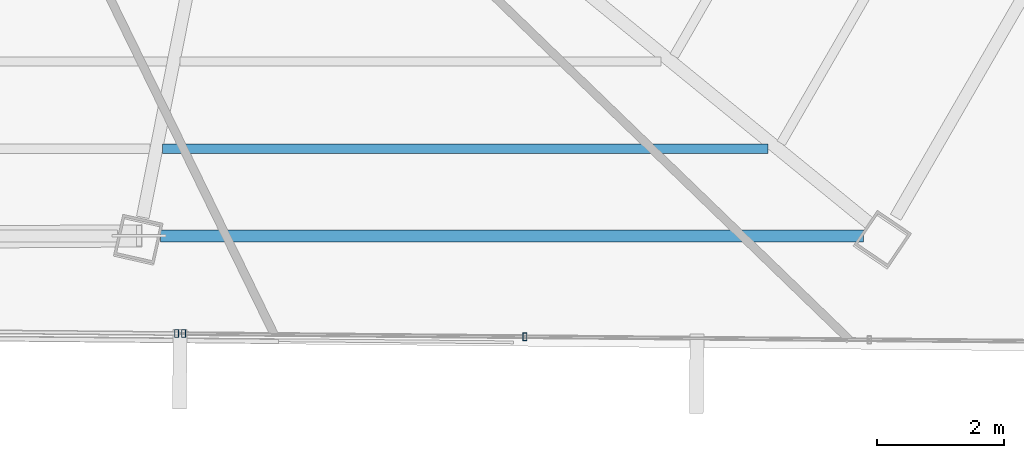
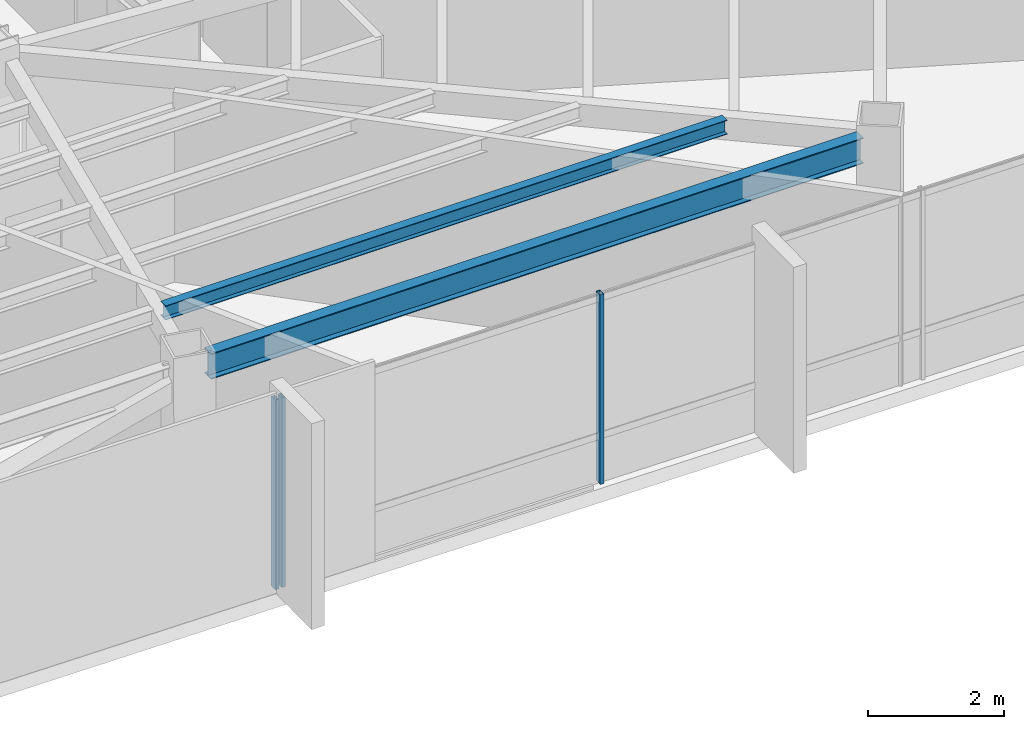
# One storey, part 19 of 42: 3 members, 2 beams, 2 elements without a shape of their own.
"""IFC4 building model written with IfcOpenShell, lengths in metres."""

from ifc_helpers import new_model, si_unit, direction, frame, origin, origin_2d, place, context, subcontext, project, spatial, hollow_rectangle, i_section, extrude, source, transform, mapped, material, material_profile, profile_set, type_object, type_shapes, element, aggregate, save


model = new_model("IFC4")

# Units and contexts
model_context = context("Model", 3, precision=1e-05, world=origin(), true_north=direction((0.0, 1.0)))
body_context = subcontext(model_context, "Body", "Model", "MODEL_VIEW")
ifc_project = project(units=[si_unit("LENGTHUNIT", "METRE"), si_unit("AREAUNIT", "SQUARE_METRE"), si_unit("VOLUMEUNIT", "CUBIC_METRE"), si_unit("PLANEANGLEUNIT", "RADIAN"), si_unit("MASSUNIT", "GRAM", prefix="KILO")], contexts=[model_context])

# Site, building, storey
site_placement = place(None, origin())
site = spatial("IfcSite", under=ifc_project, at=site_placement, CompositionType="ELEMENT")
building_placement = place(site_placement, origin())
building = spatial("IfcBuilding", under=site, at=building_placement, Name="Caelisora Broadcast Tower", CompositionType="ELEMENT")
storey_placement = place(building_placement, frame((0.0, 0.0, 244.449951171875)))
storey = spatial("IfcBuildingStorey", under=building, at=storey_placement, Name="L64", CompositionType="ELEMENT", Elevation=244.449951171875)

# Beams
ifc_material_1 = material(Name="Steel Grade 350 (AS/NZS 3679.1)", Category="steel")
ifc_material_profile_1 = material_profile(ifc_material_1, i_section(OverallWidth=0.19091796875, OverallDepth=0.46044921875, WebThickness=0.010009765625, FlangeThickness=0.01611328125, at=origin_2d()), Name="Steel Grade 350 (AS/NZS 3679.1)")
ifc_profile_set_1 = profile_set([ifc_material_profile_1], Name="Steel Grade 350 (AS/NZS 3679.1)")
beam_type_1 = type_object("IfcBeamType", Name="PG06", PredefinedType="BEAM", material=ifc_profile_set_1)
shared_shape_1 = source(origin(), body_context, "Body", "SweptSolid", [
    extrude(i_section(OverallWidth=0.19091796875, OverallDepth=0.46044921875, WebThickness=0.010009765625, FlangeThickness=0.01611328125, at=origin_2d()), origin(), (0.0, 0.0, 1.0), 11.058837890625),
])
type_shapes(beam_type_1, [shared_shape_1])
beam_1_placement = place(storey_placement, frame((44.205322265625, 9.16748046875, 3.169921875), z_axis=(1.0, 0.0, 0.0), x_axis=(0.0, 1.0, 0.0)))
element("IfcBeam", 1, at=beam_1_placement, inside=storey, type_object=beam_type_1, Name="L64 beam PG06", PredefinedType="BEAM", context=body_context, shape_type="MappedRepresentation", body=[
    mapped(shared_shape_1, transform((0.0, 0.0, 0.0), scale=1.0)),
])
ifc_material_profile_2 = material_profile(ifc_material_1, i_section(OverallWidth=0.14599609375, OverallDepth=0.256103515625, WebThickness=0.00634765625, FlangeThickness=0.010986328125, at=origin_2d()), Name="Steel Grade 350 (AS/NZS 3679.1)")
ifc_profile_set_2 = profile_set([ifc_material_profile_2], Name="Steel Grade 350 (AS/NZS 3679.1)")
beam_type_2 = type_object("IfcBeamType", Name="SB04", PredefinedType="JOIST", material=ifc_profile_set_2)
shared_shape_2 = source(origin(), body_context, "Body", "SweptSolid", [
    extrude(i_section(OverallWidth=0.14599609375, OverallDepth=0.256103515625, WebThickness=0.00634765625, FlangeThickness=0.010986328125, at=origin_2d()), origin(), (0.0, 0.0, 1.0), 9.52490234375),
])
type_shapes(beam_type_2, [shared_shape_2])
beam_2_placement = place(storey_placement, frame((44.23828125, 10.53955078125, 3.27197265625), z_axis=(1.0, 0.0, 0.0), x_axis=(0.0, 1.0, 0.0)))
element("IfcBeam", 2, at=beam_2_placement, inside=storey, type_object=beam_type_2, Name="L64 beam SB04", PredefinedType="JOIST", context=body_context, shape_type="MappedRepresentation", body=[
    mapped(shared_shape_2, transform((0.0, 0.0, 0.0), scale=1.0)),
])

# Curtain wall, members
ifc_material_2 = material(Name="Unitised Aluminium and Low-E Glass Curtain Wall", Category="glass")
curtain_wall_type_1 = type_object("IfcCurtainWallType", Name="CW-Z5", PredefinedType="NOTDEFINED", material=ifc_material_2)
curtain_wall_1_placement = place(storey_placement, origin())
curtain_wall_1 = element("IfcCurtainWall", 3, at=curtain_wall_1_placement, inside=storey, type_object=curtain_wall_type_1, Name="L64 curtain wall CW-Z5", PredefinedType="NOTDEFINED")
ifc_material_3 = material(Name="Aluminium 6063-T6 Anodised Terracotta Bronze", Category="aluminium")
ifc_material_profile_3 = material_profile(ifc_material_3, hollow_rectangle(XDim=0.06005859375, YDim=0.1201171875, WallThickness=0.0029296875, at=origin_2d()), Name="Aluminium 6063-T6 Anodised Terracotta Bronze")
ifc_profile_set_3 = profile_set([ifc_material_profile_3], Name="Aluminium 6063-T6 Anodised Terracotta Bronze")
member_type = type_object("IfcMemberType", Name="CWM-04", PredefinedType="MULLION", material=ifc_profile_set_3)
shared_shape_3 = source(origin(), body_context, "Body", "SweptSolid", [
    extrude(hollow_rectangle(XDim=0.06005859375, YDim=0.1201171875, WallThickness=0.0029296875, at=origin_2d()), origin(), (0.0, 0.0, 1.0), 3.400146484375),
])
type_shapes(member_type, [shared_shape_3])
member_1_placement = place(storey_placement, frame((49.937255859375, 7.58154296875, 0.0), z_axis=(0.0, 0.0, 1.0), x_axis=(1.0, 0.0, 0.0)))
member_1 = element("IfcMember", 4, at=member_1_placement, type_object=member_type, Name="L64-CW-B05 mullion #2", PredefinedType="MULLION", context=body_context, shape_type="MappedRepresentation", body=[
    mapped(shared_shape_3, transform((0.0, 0.0, 0.0), scale=1.0)),
])
member_2_placement = place(storey_placement, frame((44.56787109375, 7.6298828125, 0.0), z_axis=(0.0, 0.0, 1.0), x_axis=(1.0, 0.0, 0.0)))
member_2 = element("IfcMember", 5, at=member_2_placement, type_object=member_type, Name="L64-CW-B05 mullion #3", PredefinedType="MULLION", context=body_context, shape_type="MappedRepresentation", body=[
    mapped(shared_shape_3, transform((0.0, 0.0, 0.0), scale=1.0)),
])
aggregate(curtain_wall_1, [member_1, member_2])

# Curtain wall, member
ifc_material_4 = material(Name="Unitised Aluminium Insulated Shadow-Box Spandrel Curtain Wall", Category="aluminium")
curtain_wall_type_2 = type_object("IfcCurtainWallType", Name="CW-SP3", PredefinedType="NOTDEFINED", material=ifc_material_4)
curtain_wall_2_placement = place(storey_placement, origin())
curtain_wall_2 = element("IfcCurtainWall", 6, at=curtain_wall_2_placement, inside=storey, type_object=curtain_wall_type_2, Name="L64 curtain wall CW-SP3", PredefinedType="NOTDEFINED")
member_3_placement = place(storey_placement, frame((44.457763671875, 7.630859375, 0.0), z_axis=(0.0, 0.0, 1.0), x_axis=(1.0, 0.0, 0.0)))
member_3 = element("IfcMember", 7, at=member_3_placement, type_object=member_type, Name="L64-CW-B06 mullion #0", PredefinedType="MULLION", context=body_context, shape_type="MappedRepresentation", body=[
    mapped(shared_shape_3, transform((0.0, 0.0, 0.0), scale=1.0)),
])
aggregate(curtain_wall_2, [member_3])

save(model, "model.ifc")
